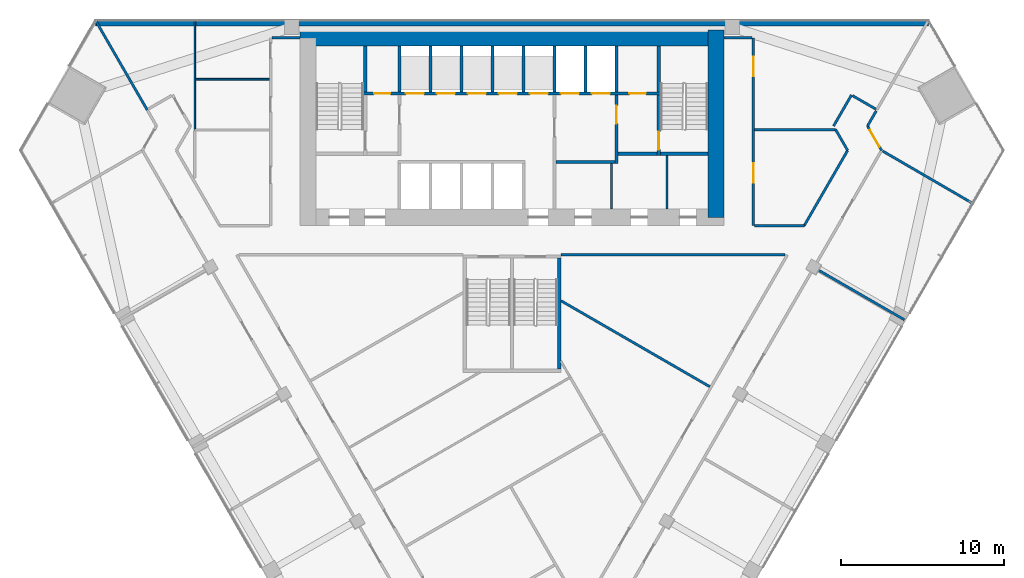
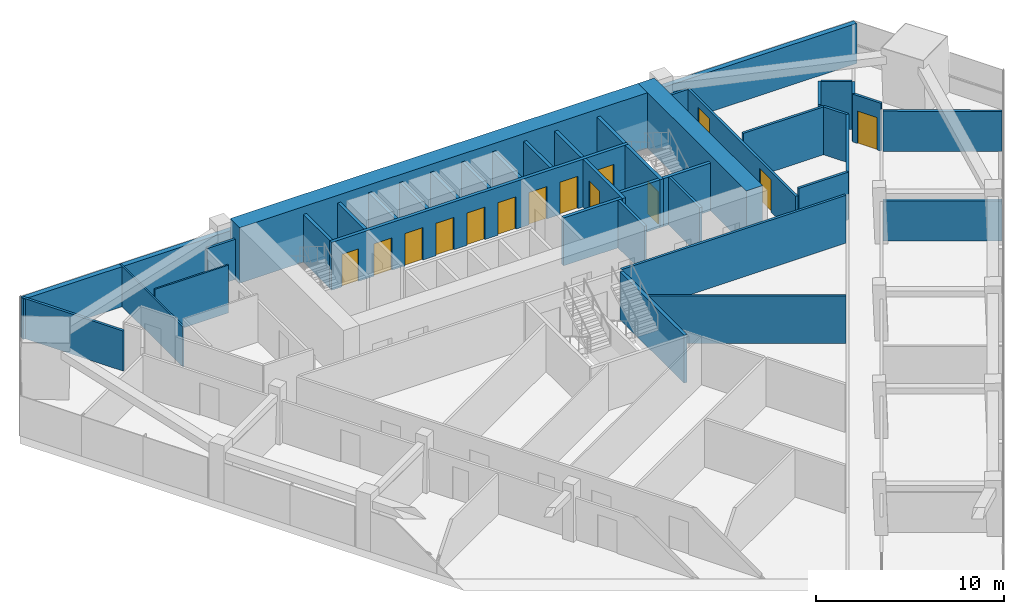
# One storey, part 11 of 14: 40 walls, 14 doors, 14 openings.
"""IFC4 building model written with IfcOpenShell, lengths in metres."""

from ifc_helpers import new_model, si_unit, direction, frame, frame_2d, origin, place, context, subcontext, project, spatial, rectangle, extrude, material, layer, layer_set, type_object, element, fill, save


model = new_model("IFC4")

# Units and contexts
model_context = context("Model", 3, precision=1e-05, world=origin(), true_north=direction((0.0, 1.0)))
body_context = subcontext(model_context, "Body", "Model", "MODEL_VIEW")
ifc_project = project(units=[si_unit("LENGTHUNIT", "METRE"), si_unit("AREAUNIT", "SQUARE_METRE"), si_unit("VOLUMEUNIT", "CUBIC_METRE"), si_unit("PLANEANGLEUNIT", "RADIAN"), si_unit("MASSUNIT", "GRAM", prefix="KILO")], contexts=[model_context])

# Site, building, storey
site_placement = place(None, origin())
site = spatial("IfcSite", under=ifc_project, at=site_placement, CompositionType="ELEMENT")
building_placement = place(site_placement, origin())
building = spatial("IfcBuilding", under=site, at=building_placement, Name="Altiplano Prism Tower", CompositionType="ELEMENT")
storey_placement = place(building_placement, frame((0.0, 0.0, 63.0)))
storey = spatial("IfcBuildingStorey", under=building, at=storey_placement, Name="L15", CompositionType="ELEMENT", Elevation=63.0)

# Walls
ifc_material_1 = material(Name="Concrete C70/85", Category="concrete")
ifc_layer_1 = layer(ifc_material_1, 1.0)
ifc_layer_set_1 = layer_set([ifc_layer_1], Name="Concrete C70/85")
wall_type_1 = type_object("IfcWallType", Name="Core wall 1000", PredefinedType="SHEAR", material=ifc_layer_set_1)
wall_1_placement = place(storey_placement, frame((97.5, 92.89990234375, 0.0), z_axis=(0.0, 0.0, 1.0), x_axis=(0.0, 1.0, 0.0)))
element("IfcWall", 1, at=wall_1_placement, inside=storey, type_object=wall_type_1, Name="Core wall E L15", PredefinedType="SHEAR", context=body_context, shape_type="SweptSolid", body=[
    extrude(rectangle(XDim=11.5, YDim=1.0, at=frame_2d((5.75, 0.0))), origin(), (0.0, 0.0, 1.0), 3.60009765625),
])
wall_2_placement = place(storey_placement, frame((97.5, 103.89990234375, 0.0), z_axis=(0.0, 0.0, 1.0), x_axis=(-1.0, 0.0, 0.0)))
element("IfcWall", 2, at=wall_2_placement, inside=storey, type_object=wall_type_1, Name="Core wall N L15", PredefinedType="SHEAR", context=body_context, shape_type="SweptSolid", body=[
    extrude(rectangle(XDim=25.5, YDim=1.0, at=frame_2d((12.75, 0.0))), origin(), (0.0, 0.0, 1.0), 3.60009765625),
])
ifc_material_2 = material(Name="Plasterboard on steel stud", Category="steel")
ifc_layer_2 = layer(ifc_material_2, 0.10009765625)
ifc_layer_set_2 = layer_set([ifc_layer_2], Name="Plasterboard on steel stud")
wall_type_2 = type_object("IfcWallType", Name="Partition 100 wet", PredefinedType="PARTITIONING", material=ifc_layer_set_2)
wall_3_placement = place(storey_placement, frame((70.125, 101.370849609375, 0.0), z_axis=(0.0, 0.0, 1.0), x_axis=(-1.0, 0.0, 0.0)))
element("IfcWall", 3, at=wall_3_placement, inside=storey, type_object=wall_type_2, Name="Partition P03 L15 026", PredefinedType="PARTITIONING", context=body_context, shape_type="SweptSolid", body=[
    extrude(rectangle(XDim=4.513671875, YDim=0.10009765625, at=frame_2d((2.2568359375, 0.0))), origin(), (0.0, 0.0, 1.0), 3.10009765625),
])
wall_4_placement = place(storey_placement, frame((65.561279296875, 104.89990234375, 0.0), z_axis=(0.0, 0.0, 1.0), x_axis=(0.0, -1.0, 0.0)))
element("IfcWall", 4, at=wall_4_placement, inside=storey, type_object=wall_type_2, Name="Partition P03 L15 028", PredefinedType="PARTITIONING", context=body_context, shape_type="SweptSolid", body=[
    extrude(rectangle(XDim=6.66650390625, YDim=0.10009765625, at=frame_2d((3.333251953125, 0.0))), origin(), (0.0, 0.0, 1.0), 2.60009765625),
])
ifc_layer_3 = layer(ifc_material_2, 0.14990234375)
ifc_layer_set_3 = layer_set([ifc_layer_3], Name="Plasterboard on steel stud")
wall_type_3 = type_object("IfcWallType", Name="Partition 150 corridor", PredefinedType="PARTITIONING", material=ifc_layer_set_3)
wall_5_placement = place(storey_placement, frame((72.0, 103.89990234375, 0.0), z_axis=(0.0, 0.0, 1.0), x_axis=(-1.0, 0.0, 0.0)))
element("IfcWall", 5, at=wall_5_placement, inside=storey, type_object=wall_type_3, Name="Partition P06 L15 001", PredefinedType="PARTITIONING", context=body_context, shape_type="SweptSolid", body=[
    extrude(rectangle(XDim=1.72509765625, YDim=0.14990234375, at=frame_2d((0.862548828125, 0.0))), origin(), (0.0, 0.0, 1.0), 2.60009765625),
])

# Wall, opening, door
wall_6_placement = place(storey_placement, frame((107.652587890625, 97.00634765625, 0.0), z_axis=(0.0, 0.0, 1.0), x_axis=(-0.499975693202, 0.866039436866, 0.0)))
wall_6 = element("IfcWall", 6, at=wall_6_placement, inside=storey, type_object=wall_type_3, Name="Partition P06 L15 013", PredefinedType="PARTITIONING", context=body_context, shape_type="SweptSolid", body=[
    extrude(rectangle(XDim=1.724609375, YDim=0.14990234375, at=frame_2d((0.8623046875, 0.0))), origin(), (0.0, 0.0, 1.0), 3.10009765625),
])
opening_1_placement = place(wall_6_placement, frame((0.239990234375, 0.0, 0.0)))
opening_1 = element("IfcOpeningElement", 7, at=opening_1_placement, cuts=wall_6, Name="Opening D0611", PredefinedType="OPENING", context=body_context, shape_type="SweptSolid", body=[
    extrude(rectangle(XDim=1.199951171875, YDim=2.10009765625, at=frame_2d((0.60009765625, 1.050048828125))), frame((0.0, 0.08544921875, 0.0), z_axis=(0.0, -1.0, 0.0), x_axis=(1.0, 0.0, 0.0)), (0.0, 0.0, 1.0), 0.1708984375),
])
ifc_material_3 = material(Name="Timber", Category="wood")
door_type_1 = type_object("IfcDoorType", Name="Shared room door 1200 x 2100", OperationType="NOTDEFINED", PredefinedType="NOTDEFINED", material=ifc_material_3)
door_1_placement = place(opening_1_placement, origin())
door_1 = element("IfcDoor", 8, at=door_1_placement, inside=storey, type_object=door_type_1, Name="Door D0611", OperationType="SINGLE_SWING_RIGHT", OverallHeight=2.10009765625, OverallWidth=1.199951171875, PredefinedType="NOTDEFINED", context=body_context, shape_type="SweptSolid", body=[
    extrude(rectangle(XDim=1.199951171875, YDim=2.10009765625, at=frame_2d((0.60009765625, 1.050048828125))), frame((0.0, 0.02490234375, 0.0), z_axis=(0.0, -1.0, 0.0), x_axis=(1.0, 0.0, 0.0)), (0.0, 0.0, 1.0), 0.050048828125),
])
fill(opening_1, door_1)

# Walls
wall_7_placement = place(storey_placement, frame((106.790283203125, 98.5, 0.0), z_axis=(0.0, 0.0, 1.0), x_axis=(0.499957341738, 0.866050031143, 0.0)))
element("IfcWall", 9, at=wall_7_placement, inside=storey, type_object=wall_type_3, Name="Partition P06 L15 014", PredefinedType="PARTITIONING", context=body_context, shape_type="SweptSolid", body=[
    extrude(rectangle(XDim=1.07958984375, YDim=0.14990234375, at=frame_2d((0.539794921875, 0.0))), origin(), (0.0, 0.0, 1.0), 3.10009765625),
])
wall_8_placement = place(storey_placement, frame((88.0, 90.59912109375, 0.0), z_axis=(0.0, 0.0, 1.0), x_axis=(0.999999997476, 7.1045433e-05, 0.0)))
element("IfcWall", 10, at=wall_8_placement, inside=storey, type_object=wall_type_3, Name="Partition P06 L15 015", PredefinedType="PARTITIONING", context=body_context, shape_type="SweptSolid", body=[
    extrude(rectangle(XDim=13.74560546875, YDim=0.14990234375, at=frame_2d((6.872802734375, 0.0))), origin(), (0.0, 0.0, 1.0), 3.10009765625),
])
wall_9_placement = place(storey_placement, frame((99.72509765625, 103.89990234375, 0.0), z_axis=(0.0, 0.0, 1.0), x_axis=(-1.0, 0.0, 0.0)))
element("IfcWall", 11, at=wall_9_placement, inside=storey, type_object=wall_type_3, Name="Partition P06 L15 018", PredefinedType="PARTITIONING", context=body_context, shape_type="SweptSolid", body=[
    extrude(rectangle(XDim=1.72509765625, YDim=0.14990234375, at=frame_2d((0.862548828125, 0.0))), origin(), (0.0, 0.0, 1.0), 2.60009765625),
])
wall_10_placement = place(storey_placement, frame((107.302490234375, 99.53759765625, 0.0), z_axis=(0.0, 0.0, 1.0), x_axis=(-0.866040211805, 0.499974350878, 0.0)))
element("IfcWall", 12, at=wall_10_placement, inside=storey, type_object=wall_type_3, Name="Partition P06 L15 019", PredefinedType="PARTITIONING", context=body_context, shape_type="SweptSolid", body=[
    extrude(rectangle(XDim=1.64990234375, YDim=0.14990234375, at=frame_2d((0.824951171875, 0.0))), origin(), (0.0, 0.0, 1.0), 3.10009765625),
])
wall_11_placement = place(storey_placement, frame((105.80859375, 100.39990234375, 0.0), z_axis=(0.0, 0.0, 1.0), x_axis=(-0.500005024956, -0.866022502605, 0.0)))
element("IfcWall", 13, at=wall_11_placement, inside=storey, type_object=wall_type_3, Name="Partition P06 L15 020", PredefinedType="PARTITIONING", context=body_context, shape_type="SweptSolid", body=[
    extrude(rectangle(XDim=2.19384765625, YDim=0.14990234375, at=frame_2d((1.096923828125, 0.0))), origin(), (0.0, 0.0, 1.0), 3.10009765625),
])
wall_12_placement = place(storey_placement, frame((104.836181640625, 98.282470703125, 0.0), z_axis=(0.0, 0.0, 1.0), x_axis=(0.500644523224, -0.865652968207, 0.0)))
element("IfcWall", 14, at=wall_12_placement, inside=storey, type_object=wall_type_3, Name="Partition P06 L15 022", PredefinedType="PARTITIONING", context=body_context, shape_type="SweptSolid", body=[
    extrude(rectangle(XDim=1.47412109375, YDim=0.14990234375, at=frame_2d((0.737060546875, 0.0))), origin(), (0.0, 0.0, 1.0), 3.10009765625),
])
wall_13_placement = place(storey_placement, frame((105.57421875, 97.00634765625, 0.0), z_axis=(0.0, 0.0, 1.0), x_axis=(-0.500019109324, -0.86601437073, 0.0)))
element("IfcWall", 15, at=wall_13_placement, inside=storey, type_object=wall_type_3, Name="Partition P06 L15 023", PredefinedType="PARTITIONING", context=body_context, shape_type="SweptSolid", body=[
    extrude(rectangle(XDim=5.319091796875, YDim=0.14990234375, at=frame_2d((2.65966796875, 0.0))), origin(), (0.0, 0.0, 1.0), 3.10009765625),
])
wall_14_placement = place(storey_placement, frame((102.91455078125, 92.39990234375, 0.0), z_axis=(0.0, 0.0, 1.0), x_axis=(-1.0, 0.0, 0.0)))
element("IfcWall", 16, at=wall_14_placement, inside=storey, type_object=wall_type_3, Name="Partition P06 L15 024", PredefinedType="PARTITIONING", context=body_context, shape_type="SweptSolid", body=[
    extrude(rectangle(XDim=3.03955078125, YDim=0.14990234375, at=frame_2d((1.519775390625, 0.0))), origin(), (0.0, 0.0, 1.0), 3.10009765625),
])

# Wall, openings, doors
wall_15_placement = place(storey_placement, frame((99.800048828125, 92.39990234375, 0.0), z_axis=(0.0, 0.0, 1.0), x_axis=(0.0, 1.0, 0.0)))
wall_15 = element("IfcWall", 17, at=wall_15_placement, inside=storey, type_object=wall_type_3, Name="Partition P06 L15 025", PredefinedType="PARTITIONING", context=body_context, shape_type="SweptSolid", body=[
    extrude(rectangle(XDim=11.5, YDim=0.14990234375, at=frame_2d((5.75, 0.0))), origin(), (0.0, 0.0, 1.0), 2.60009765625),
])
opening_2_placement = place(wall_15_placement, frame((9.139892578125, 0.0, 0.0)))
opening_2 = element("IfcOpeningElement", 18, at=opening_2_placement, cuts=wall_15, Name="Opening D0614", PredefinedType="OPENING", context=body_context, shape_type="SweptSolid", body=[
    extrude(rectangle(XDim=1.199951171875, YDim=2.10009765625, at=frame_2d((0.60009765625, 1.050048828125))), frame((0.0, 0.08544921875, 0.0), z_axis=(0.0, -1.0, 0.0), x_axis=(1.0, 0.0, 0.0)), (0.0, 0.0, 1.0), 0.1708984375),
])
opening_3_placement = place(wall_15_placement, frame((2.612060546875, 0.0, 0.0)))
opening_3 = element("IfcOpeningElement", 19, at=opening_3_placement, cuts=wall_15, Name="Opening D0622", PredefinedType="OPENING", context=body_context, shape_type="SweptSolid", body=[
    extrude(rectangle(XDim=1.199951171875, YDim=2.10009765625, at=frame_2d((0.60009765625, 1.050048828125))), frame((0.0, 0.08544921875, 0.0), z_axis=(0.0, -1.0, 0.0), x_axis=(1.0, 0.0, 0.0)), (0.0, 0.0, 1.0), 0.1708984375),
])
door_2_placement = place(opening_2_placement, origin())
door_2 = element("IfcDoor", 20, at=door_2_placement, inside=storey, type_object=door_type_1, Name="Door D0614", OperationType="SINGLE_SWING_RIGHT", OverallHeight=2.10009765625, OverallWidth=1.199951171875, PredefinedType="NOTDEFINED", context=body_context, shape_type="SweptSolid", body=[
    extrude(rectangle(XDim=1.199951171875, YDim=2.10009765625, at=frame_2d((0.60009765625, 1.050048828125))), frame((0.0, 0.02490234375, 0.0), z_axis=(0.0, -1.0, 0.0), x_axis=(1.0, 0.0, 0.0)), (0.0, 0.0, 1.0), 0.050048828125),
])
fill(opening_2, door_2)
door_3_placement = place(opening_3_placement, origin())
door_3 = element("IfcDoor", 21, at=door_3_placement, inside=storey, type_object=door_type_1, Name="Door D0622", OperationType="SINGLE_SWING_LEFT", OverallHeight=2.10009765625, OverallWidth=1.199951171875, PredefinedType="NOTDEFINED", context=body_context, shape_type="SweptSolid", body=[
    extrude(rectangle(XDim=1.199951171875, YDim=2.10009765625, at=frame_2d((0.60009765625, 1.050048828125))), frame((0.0, 0.02490234375, 0.0), z_axis=(0.0, -1.0, 0.0), x_axis=(1.0, 0.0, 0.0)), (0.0, 0.0, 1.0), 0.050048828125),
])
fill(opening_3, door_3)

# Walls
ifc_layer_4 = layer(ifc_material_2, 0.14990234375)
ifc_layer_set_4 = layer_set([ifc_layer_4], Name="Plasterboard on steel stud")
wall_type_4 = type_object("IfcWallType", Name="Partition 150 party", PredefinedType="PARTITIONING", material=ifc_layer_set_4)
wall_16_placement = place(storey_placement, frame((59.5146484375, 104.89990234375, 0.0), z_axis=(0.0, 0.0, 1.0), x_axis=(0.500005118993, -0.866022448312, 0.0)))
element("IfcWall", 22, at=wall_16_placement, inside=storey, type_object=wall_type_4, Name="Partition P01 L15 030", PredefinedType="PARTITIONING", context=body_context, shape_type="SweptSolid", body=[
    extrude(rectangle(XDim=6.25537109375, YDim=0.14990234375, at=frame_2d((3.127685546875, 0.0))), origin(), (0.0, 0.0, 1.0), 2.60009765625),
])
for number, where, z_axis, x_axis, name in (
    (23, (109.050048828125, 86.626708984375, 0.0), (0.0, 0.0, 1.0), (-0.866015887322, 0.500016482634, 0.0), "Partition P01 L15 040"),
    (24, (113.18603515625, 93.790283203125, 0.0), (0.0, 0.0, 1.0), (-0.864585576107, 0.502485603364, 0.0), "Partition P01 L15 041"),
):
    element("IfcWall", number, at=place(storey_placement, frame(where, z_axis=z_axis, x_axis=x_axis)), inside=storey, type_object=wall_type_4, Name=name, PredefinedType="PARTITIONING", context=body_context, shape_type="SweptSolid", body=[
        extrude(rectangle(XDim=6.324951171875, YDim=0.14990234375, at=frame_2d((3.16259765625, 0.0))), origin(), (0.0, 0.0, 1.0), 2.60009765625),
    ])
wall_17_placement = place(storey_placement, frame((88.0, 87.791259765625, 0.0), z_axis=(0.0, 0.0, 1.0), x_axis=(0.866027393874, -0.499996553047, 0.0)))
element("IfcWall", 25, at=wall_17_placement, inside=storey, type_object=wall_type_4, Name="Partition P01 L15 043", PredefinedType="PARTITIONING", context=body_context, shape_type="SweptSolid", body=[
    extrude(rectangle(XDim=10.537109375, YDim=0.14990234375, at=frame_2d((5.2685546875, 0.0))), origin(), (0.0, 0.0, 1.0), 3.10009765625),
])
wall_18_placement = place(storey_placement, frame((99.875, 98.282470703125, 0.0), z_axis=(0.0, 0.0, 1.0), x_axis=(1.0, 0.0, 0.0)))
element("IfcWall", 26, at=wall_18_placement, inside=storey, type_object=wall_type_4, Name="Partition P01 L15 045", PredefinedType="PARTITIONING", context=body_context, shape_type="SweptSolid", body=[
    extrude(rectangle(XDim=4.961181640625, YDim=0.14990234375, at=frame_2d((2.48046875, 0.0))), origin(), (0.0, 0.0, 1.0), 3.10009765625),
])
ifc_material_4 = material(Name="Fire-rated gypsum board partition")
ifc_layer_5 = layer(ifc_material_4, 0.14990234375)
ifc_layer_set_5 = layer_set([ifc_layer_5], Name="Fire-rated gypsum board partition")
wall_type_5 = type_object("IfcWallType", Name="Room partition 150", PredefinedType="PARTITIONING", material=ifc_layer_set_5)
wall_19_placement = place(storey_placement, frame((91.10009765625, 93.39990234375, 0.0), z_axis=(0.0, 0.0, 1.0), x_axis=(0.0, 1.0, 0.0)))
element("IfcWall", 27, at=wall_19_placement, inside=storey, type_object=wall_type_5, Name="Room partition L15", PredefinedType="PARTITIONING", context=body_context, shape_type="SweptSolid", body=[
    extrude(rectangle(XDim=2.800048828125, YDim=0.14990234375, at=frame_2d((1.39990234375, 0.0))), origin(), (0.0, 0.0, 1.0), 3.10009765625),
])
wall_20_placement = place(storey_placement, frame((94.5, 93.39990234375, 0.0), z_axis=(0.0, 0.0, 1.0), x_axis=(0.0, 1.0, 0.0)))
element("IfcWall", 28, at=wall_20_placement, inside=storey, type_object=wall_type_5, Name="Room partition L15", PredefinedType="PARTITIONING", context=body_context, shape_type="SweptSolid", body=[
    extrude(rectangle(XDim=3.300048828125, YDim=0.14990234375, at=frame_2d((1.64990234375, 0.0))), origin(), (0.0, 0.0, 1.0), 3.10009765625),
])
ifc_material_5 = material(Name="Concrete C60/75", Category="concrete")
ifc_layer_6 = layer(ifc_material_5, 0.199951171875)
ifc_layer_set_6 = layer_set([ifc_layer_6], Name="Concrete C60/75")
wall_type_6 = type_object("IfcWallType", Name="Shaft wall 200", PredefinedType="SOLIDWALL", material=ifc_layer_set_6)
for number, where, z_axis, x_axis, name in (
    (29, (78.10009765625, 100.60009765625, 0.0), (0.0, 0.0, 1.0), (0.0, 1.0, 0.0), "Shaft wall L15"),
    (30, (80.0, 100.60009765625, 0.0), (0.0, 0.0, 1.0), (0.0, 1.0, 0.0), "Shaft wall L15"),
    (31, (81.89990234375, 100.60009765625, 0.0), (0.0, 0.0, 1.0), (0.0, 1.0, 0.0), "Shaft wall L15"),
    (32, (83.800048828125, 100.60009765625, 0.0), (0.0, 0.0, 1.0), (0.0, 1.0, 0.0), "Shaft wall L15"),
    (33, (85.699951171875, 100.60009765625, 0.0), (0.0, 0.0, 1.0), (0.0, 1.0, 0.0), "Shaft wall L15"),
    (34, (87.60009765625, 100.60009765625, 0.0), (0.0, 0.0, 1.0), (0.0, 1.0, 0.0), "Shaft wall L15"),
    (35, (89.5, 100.60009765625, 0.0), (0.0, 0.0, 1.0), (0.0, 1.0, 0.0), "Shaft wall L15"),
    (36, (91.39990234375, 100.60009765625, 0.0), (0.0, 0.0, 1.0), (0.0, 1.0, 0.0), "Shaft wall L15"),
):
    element("IfcWall", number, at=place(storey_placement, frame(where, z_axis=z_axis, x_axis=x_axis)), inside=storey, type_object=wall_type_6, Name=name, PredefinedType="SOLIDWALL", context=body_context, shape_type="SweptSolid", body=[
        extrude(rectangle(XDim=2.7998046875, YDim=0.199951171875, at=frame_2d((1.39990234375, 0.0))), origin(), (0.0, 0.0, 1.0), 3.10009765625),
    ])

# Wall, opening, door
ifc_layer_7 = layer(ifc_material_5, 0.199951171875)
ifc_layer_set_7 = layer_set([ifc_layer_7], Name="Concrete C60/75")
wall_type_7 = type_object("IfcWallType", Name="Stair wall 200", PredefinedType="SOLIDWALL", material=ifc_layer_set_7)
wall_21_placement = place(storey_placement, frame((94.0, 96.699951171875, 0.0), z_axis=(0.0, 0.0, 1.0), x_axis=(0.0, 1.0, 0.0)))
wall_21 = element("IfcWall", 37, at=wall_21_placement, inside=storey, type_object=wall_type_7, Name="Stair wall L15", PredefinedType="SOLIDWALL", context=body_context, shape_type="SweptSolid", body=[
    extrude(rectangle(XDim=3.699951171875, YDim=0.199951171875, at=frame_2d((1.85009765625, 0.0))), origin(), (0.0, 0.0, 1.0), 3.10009765625),
])
opening_4_placement = place(wall_21_placement, frame((0.35009765625, 0.0, 0.0)))
opening_4 = element("IfcOpeningElement", 38, at=opening_4_placement, cuts=wall_21, Name="Opening D2789", PredefinedType="OPENING", context=body_context, shape_type="SweptSolid", body=[
    extrude(rectangle(XDim=1.10009765625, YDim=2.10009765625, at=frame_2d((0.550048828125, 1.050048828125))), frame((0.0, 0.1103515625, 0.0), z_axis=(0.0, -1.0, 0.0), x_axis=(1.0, 0.0, 0.0)), (0.0, 0.0, 1.0), 0.220947265625),
])
ifc_material_6 = material(Name="Fire-rated steel door", Category="steel")
door_type_2 = type_object("IfcDoorType", Name="Stair fire door 1100 x 2100", OperationType="NOTDEFINED", PredefinedType="NOTDEFINED", material=ifc_material_6)
door_4_placement = place(opening_4_placement, origin())
door_4 = element("IfcDoor", 39, at=door_4_placement, inside=storey, type_object=door_type_2, Name="Stair fire door D2789", OperationType="SINGLE_SWING_LEFT", OverallHeight=2.10009765625, OverallWidth=1.10009765625, PredefinedType="NOTDEFINED", context=body_context, shape_type="SweptSolid", body=[
    extrude(rectangle(XDim=1.10009765625, YDim=2.10009765625, at=frame_2d((0.550048828125, 1.050048828125))), frame((0.0, 0.02490234375, 0.0), z_axis=(0.0, -1.0, 0.0), x_axis=(1.0, 0.0, 0.0)), (0.0, 0.0, 1.0), 0.050048828125),
])
fill(opening_4, door_4)

# Wall
wall_22_placement = place(storey_placement, frame((94.10009765625, 96.800048828125, 0.0), z_axis=(0.0, 0.0, 1.0), x_axis=(1.0, 0.0, 0.0)))
element("IfcWall", 40, at=wall_22_placement, inside=storey, type_object=wall_type_7, Name="Stair wall L15", PredefinedType="SOLIDWALL", context=body_context, shape_type="SweptSolid", body=[
    extrude(rectangle(XDim=2.89990234375, YDim=0.199951171875, at=frame_2d((1.449951171875, 0.0))), origin(), (0.0, 0.0, 1.0), 3.10009765625),
])

# Wall, openings, doors
wall_23_placement = place(storey_placement, frame((75.89990234375, 100.5, 0.0), z_axis=(0.0, 0.0, 1.0), x_axis=(1.0, 0.0, 0.0)))
wall_23 = element("IfcWall", 41, at=wall_23_placement, inside=storey, type_object=wall_type_7, Name="Stair wall L15", PredefinedType="SOLIDWALL", context=body_context, shape_type="SweptSolid", body=[
    extrude(rectangle(XDim=18.2001953125, YDim=0.199951171875, at=frame_2d((9.10009765625, 0.0))), origin(), (0.0, 0.0, 1.0), 3.10009765625),
])
opening_5_placement = place(wall_23_placement, frame((2.60009765625, 0.0, 0.0)))
opening_5 = element("IfcOpeningElement", 42, at=opening_5_placement, cuts=wall_23, Name="Opening LD-LL1-L15", PredefinedType="OPENING", context=body_context, shape_type="SweptSolid", body=[
    extrude(rectangle(XDim=1.10009765625, YDim=2.10009765625, at=frame_2d((0.550048828125, 1.050048828125))), frame((0.0, 0.1103515625, 0.0), z_axis=(0.0, -1.0, 0.0), x_axis=(1.0, 0.0, 0.0)), (0.0, 0.0, 1.0), 0.220947265625),
])
opening_6_placement = place(wall_23_placement, frame((4.5, 0.0, 0.0)))
opening_6 = element("IfcOpeningElement", 43, at=opening_6_placement, cuts=wall_23, Name="Opening LD-LL2-L15", PredefinedType="OPENING", context=body_context, shape_type="SweptSolid", body=[
    extrude(rectangle(XDim=1.10009765625, YDim=2.10009765625, at=frame_2d((0.550048828125, 1.050048828125))), frame((0.0, 0.1103515625, 0.0), z_axis=(0.0, -1.0, 0.0), x_axis=(1.0, 0.0, 0.0)), (0.0, 0.0, 1.0), 0.220947265625),
])
opening_7_placement = place(wall_23_placement, frame((6.39990234375, 0.0, 0.0)))
opening_7 = element("IfcOpeningElement", 44, at=opening_7_placement, cuts=wall_23, Name="Opening LD-LL3-L15", PredefinedType="OPENING", context=body_context, shape_type="SweptSolid", body=[
    extrude(rectangle(XDim=1.10009765625, YDim=2.10009765625, at=frame_2d((0.550048828125, 1.050048828125))), frame((0.0, 0.1103515625, 0.0), z_axis=(0.0, -1.0, 0.0), x_axis=(1.0, 0.0, 0.0)), (0.0, 0.0, 1.0), 0.220947265625),
])
opening_8_placement = place(wall_23_placement, frame((8.300048828125, 0.0, 0.0)))
opening_8 = element("IfcOpeningElement", 45, at=opening_8_placement, cuts=wall_23, Name="Opening LD-LL4-L15", PredefinedType="OPENING", context=body_context, shape_type="SweptSolid", body=[
    extrude(rectangle(XDim=1.10009765625, YDim=2.10009765625, at=frame_2d((0.550048828125, 1.050048828125))), frame((0.0, 0.1103515625, 0.0), z_axis=(0.0, -1.0, 0.0), x_axis=(1.0, 0.0, 0.0)), (0.0, 0.0, 1.0), 0.220947265625),
])
opening_9_placement = place(wall_23_placement, frame((10.199951171875, 0.0, 0.0)))
opening_9 = element("IfcOpeningElement", 46, at=opening_9_placement, cuts=wall_23, Name="Opening LD-LL5-L15", PredefinedType="OPENING", context=body_context, shape_type="SweptSolid", body=[
    extrude(rectangle(XDim=1.10009765625, YDim=2.10009765625, at=frame_2d((0.550048828125, 1.050048828125))), frame((0.0, 0.1103515625, 0.0), z_axis=(0.0, -1.0, 0.0), x_axis=(1.0, 0.0, 0.0)), (0.0, 0.0, 1.0), 0.220947265625),
])
opening_10_placement = place(wall_23_placement, frame((12.10009765625, 0.0, 0.0)))
opening_10 = element("IfcOpeningElement", 47, at=opening_10_placement, cuts=wall_23, Name="Opening LD-FF1-L15", PredefinedType="OPENING", context=body_context, shape_type="SweptSolid", body=[
    extrude(rectangle(XDim=1.10009765625, YDim=2.10009765625, at=frame_2d((0.550048828125, 1.050048828125))), frame((0.0, 0.1103515625, 0.0), z_axis=(0.0, -1.0, 0.0), x_axis=(1.0, 0.0, 0.0)), (0.0, 0.0, 1.0), 0.220947265625),
])
opening_11_placement = place(wall_23_placement, frame((14.0, 0.0, 0.0)))
opening_11 = element("IfcOpeningElement", 48, at=opening_11_placement, cuts=wall_23, Name="Opening LD-FF2-L15", PredefinedType="OPENING", context=body_context, shape_type="SweptSolid", body=[
    extrude(rectangle(XDim=1.10009765625, YDim=2.10009765625, at=frame_2d((0.550048828125, 1.050048828125))), frame((0.0, 0.1103515625, 0.0), z_axis=(0.0, -1.0, 0.0), x_axis=(1.0, 0.0, 0.0)), (0.0, 0.0, 1.0), 0.220947265625),
])
opening_12_placement = place(wall_23_placement, frame((0.64990234375, 0.0, 0.0)))
opening_12 = element("IfcOpeningElement", 49, at=opening_12_placement, cuts=wall_23, Name="Opening D2796", PredefinedType="OPENING", context=body_context, shape_type="SweptSolid", body=[
    extrude(rectangle(XDim=1.0, YDim=2.10009765625, at=frame_2d((0.5, 1.050048828125))), frame((0.0, 0.1103515625, 0.0), z_axis=(0.0, -1.0, 0.0), x_axis=(1.0, 0.0, 0.0)), (0.0, 0.0, 1.0), 0.220947265625),
])
opening_13_placement = place(wall_23_placement, frame((16.300048828125, 0.0, 0.0)))
opening_13 = element("IfcOpeningElement", 50, at=opening_13_placement, cuts=wall_23, Name="Opening D2797", PredefinedType="OPENING", context=body_context, shape_type="SweptSolid", body=[
    extrude(rectangle(XDim=1.0, YDim=2.10009765625, at=frame_2d((0.5, 1.050048828125))), frame((0.0, 0.1103515625, 0.0), z_axis=(0.0, -1.0, 0.0), x_axis=(1.0, 0.0, 0.0)), (0.0, 0.0, 1.0), 0.220947265625),
])
door_type_3 = type_object("IfcDoorType", Name="Core room door 1000 x 2100", OperationType="NOTDEFINED", PredefinedType="NOTDEFINED", material=ifc_material_6)
door_5_placement = place(opening_12_placement, origin())
door_5 = element("IfcDoor", 51, at=door_5_placement, inside=storey, type_object=door_type_3, Name="Core room door D2796", OperationType="SINGLE_SWING_LEFT", OverallHeight=2.10009765625, OverallWidth=1.0, PredefinedType="NOTDEFINED", context=body_context, shape_type="SweptSolid", body=[
    extrude(rectangle(XDim=1.0, YDim=2.10009765625, at=frame_2d((0.5, 1.050048828125))), frame((0.0, 0.02490234375, 0.0), z_axis=(0.0, -1.0, 0.0), x_axis=(1.0, 0.0, 0.0)), (0.0, 0.0, 1.0), 0.050048828125),
])
fill(opening_12, door_5)
door_6_placement = place(opening_13_placement, origin())
door_6 = element("IfcDoor", 52, at=door_6_placement, inside=storey, type_object=door_type_3, Name="Core room door D2797", OperationType="SINGLE_SWING_RIGHT", OverallHeight=2.10009765625, OverallWidth=1.0, PredefinedType="NOTDEFINED", context=body_context, shape_type="SweptSolid", body=[
    extrude(rectangle(XDim=1.0, YDim=2.10009765625, at=frame_2d((0.5, 1.050048828125))), frame((0.0, 0.02490234375, 0.0), z_axis=(0.0, -1.0, 0.0), x_axis=(1.0, 0.0, 0.0)), (0.0, 0.0, 1.0), 0.050048828125),
])
fill(opening_13, door_6)
ifc_material_7 = material(Name="Stainless steel landing door", Category="steel")
door_type_4 = type_object("IfcDoorType", Name="Landing door 1100 x 2100", OperationType="NOTDEFINED", PredefinedType="NOTDEFINED", material=ifc_material_7)
door_7_placement = place(opening_5_placement, origin())
door_7 = element("IfcDoor", 53, at=door_7_placement, inside=storey, type_object=door_type_4, Name="Landing doors LL1", OperationType="SLIDING_TO_RIGHT", OverallHeight=2.10009765625, OverallWidth=1.10009765625, PredefinedType="NOTDEFINED", context=body_context, shape_type="SweptSolid", body=[
    extrude(rectangle(XDim=1.10009765625, YDim=2.10009765625, at=frame_2d((0.550048828125, 1.050048828125))), frame((0.0, 0.02490234375, 0.0), z_axis=(0.0, -1.0, 0.0), x_axis=(1.0, 0.0, 0.0)), (0.0, 0.0, 1.0), 0.050048828125),
])
fill(opening_5, door_7)
door_8_placement = place(opening_6_placement, origin())
door_8 = element("IfcDoor", 54, at=door_8_placement, inside=storey, type_object=door_type_4, Name="Landing doors LL2", OperationType="SLIDING_TO_LEFT", OverallHeight=2.10009765625, OverallWidth=1.10009765625, PredefinedType="NOTDEFINED", context=body_context, shape_type="SweptSolid", body=[
    extrude(rectangle(XDim=1.10009765625, YDim=2.10009765625, at=frame_2d((0.550048828125, 1.050048828125))), frame((0.0, 0.02490234375, 0.0), z_axis=(0.0, -1.0, 0.0), x_axis=(1.0, 0.0, 0.0)), (0.0, 0.0, 1.0), 0.050048828125),
])
fill(opening_6, door_8)
door_9_placement = place(opening_7_placement, origin())
door_9 = element("IfcDoor", 55, at=door_9_placement, inside=storey, type_object=door_type_4, Name="Landing doors LL3", OperationType="SLIDING_TO_RIGHT", OverallHeight=2.10009765625, OverallWidth=1.10009765625, PredefinedType="NOTDEFINED", context=body_context, shape_type="SweptSolid", body=[
    extrude(rectangle(XDim=1.10009765625, YDim=2.10009765625, at=frame_2d((0.550048828125, 1.050048828125))), frame((0.0, 0.02490234375, 0.0), z_axis=(0.0, -1.0, 0.0), x_axis=(1.0, 0.0, 0.0)), (0.0, 0.0, 1.0), 0.050048828125),
])
fill(opening_7, door_9)
door_10_placement = place(opening_8_placement, origin())
door_10 = element("IfcDoor", 56, at=door_10_placement, inside=storey, type_object=door_type_4, Name="Landing doors LL4", OperationType="SLIDING_TO_LEFT", OverallHeight=2.10009765625, OverallWidth=1.10009765625, PredefinedType="NOTDEFINED", context=body_context, shape_type="SweptSolid", body=[
    extrude(rectangle(XDim=1.10009765625, YDim=2.10009765625, at=frame_2d((0.550048828125, 1.050048828125))), frame((0.0, 0.02490234375, 0.0), z_axis=(0.0, -1.0, 0.0), x_axis=(1.0, 0.0, 0.0)), (0.0, 0.0, 1.0), 0.050048828125),
])
fill(opening_8, door_10)
door_11_placement = place(opening_9_placement, origin())
door_11 = element("IfcDoor", 57, at=door_11_placement, inside=storey, type_object=door_type_4, Name="Landing doors LL5", OperationType="SLIDING_TO_RIGHT", OverallHeight=2.10009765625, OverallWidth=1.10009765625, PredefinedType="NOTDEFINED", context=body_context, shape_type="SweptSolid", body=[
    extrude(rectangle(XDim=1.10009765625, YDim=2.10009765625, at=frame_2d((0.550048828125, 1.050048828125))), frame((0.0, 0.02490234375, 0.0), z_axis=(0.0, -1.0, 0.0), x_axis=(1.0, 0.0, 0.0)), (0.0, 0.0, 1.0), 0.050048828125),
])
fill(opening_9, door_11)
door_12_placement = place(opening_10_placement, origin())
door_12 = element("IfcDoor", 58, at=door_12_placement, inside=storey, type_object=door_type_4, Name="Landing doors FF1", OperationType="SLIDING_TO_RIGHT", OverallHeight=2.10009765625, OverallWidth=1.10009765625, PredefinedType="NOTDEFINED", context=body_context, shape_type="SweptSolid", body=[
    extrude(rectangle(XDim=1.10009765625, YDim=2.10009765625, at=frame_2d((0.550048828125, 1.050048828125))), frame((0.0, 0.02490234375, 0.0), z_axis=(0.0, -1.0, 0.0), x_axis=(1.0, 0.0, 0.0)), (0.0, 0.0, 1.0), 0.050048828125),
])
fill(opening_10, door_12)
door_13_placement = place(opening_11_placement, origin())
door_13 = element("IfcDoor", 59, at=door_13_placement, inside=storey, type_object=door_type_4, Name="Landing doors FF2", OperationType="SLIDING_TO_LEFT", OverallHeight=2.10009765625, OverallWidth=1.10009765625, PredefinedType="NOTDEFINED", context=body_context, shape_type="SweptSolid", body=[
    extrude(rectangle(XDim=1.10009765625, YDim=2.10009765625, at=frame_2d((0.550048828125, 1.050048828125))), frame((0.0, 0.02490234375, 0.0), z_axis=(0.0, -1.0, 0.0), x_axis=(1.0, 0.0, 0.0)), (0.0, 0.0, 1.0), 0.050048828125),
])
fill(opening_11, door_13)

# Walls
for number, where, z_axis, x_axis, name in (
    (60, (76.0, 100.60009765625, 0.0), (0.0, 0.0, 1.0), (0.0, 1.0, 0.0), "Stair wall L15"),
    (61, (94.0, 100.60009765625, 0.0), (0.0, 0.0, 1.0), (0.0, 1.0, 0.0), "Stair wall L15"),
):
    element("IfcWall", number, at=place(storey_placement, frame(where, z_axis=z_axis, x_axis=x_axis)), inside=storey, type_object=wall_type_7, Name=name, PredefinedType="SOLIDWALL", context=body_context, shape_type="SweptSolid", body=[
        extrude(rectangle(XDim=2.7998046875, YDim=0.199951171875, at=frame_2d((1.39990234375, 0.0))), origin(), (0.0, 0.0, 1.0), 3.10009765625),
    ])
wall_24_placement = place(storey_placement, frame((87.89990234375, 83.60009765625, 0.0), z_axis=(0.0, 0.0, 1.0), x_axis=(0.0, 1.0, 0.0)))
element("IfcWall", 62, at=wall_24_placement, inside=storey, type_object=wall_type_7, Name="Stair 3 wall east L15", PredefinedType="SOLIDWALL", context=body_context, shape_type="SweptSolid", body=[
    extrude(rectangle(XDim=6.7998046875, YDim=0.199951171875, at=frame_2d((3.39990234375, 0.0))), origin(), (0.0, 0.0, 1.0), 3.10009765625),
])
ifc_material_8 = material(Name="Concrete C40", Category="concrete")
ifc_layer_8 = layer(ifc_material_8, 0.300048828125)
ifc_layer_set_8 = layer_set([ifc_layer_8], Name="Concrete C40")
wall_type_8 = type_object("IfcWallType", Name="Stone-clad external wall 300", PredefinedType="SOLIDWALL", material=ifc_layer_set_8)
wall_25_placement = place(storey_placement, frame((59.45703125, 104.7900390625, 0.0), z_axis=(0.0, 0.0, 1.0), x_axis=(1.0, 0.0, 0.0)))
element("IfcWall", 63, at=wall_25_placement, inside=storey, type_object=wall_type_8, Name="External wall north face L15", PredefinedType="SOLIDWALL", context=body_context, shape_type="SweptSolid", body=[
    extrude(rectangle(XDim=51.0859375, YDim=0.300048828125, at=frame_2d((25.54296875, 0.0))), origin(), (0.0, 0.0, 1.0), 2.60009765625),
])
ifc_layer_9 = layer(ifc_material_5, 0.199951171875)
ifc_layer_set_9 = layer_set([ifc_layer_9], Name="Concrete C60/75")
wall_type_9 = type_object("IfcWallType", Name="Vestibule wall 200", PredefinedType="PARTITIONING", material=ifc_layer_set_9)
wall_26_placement = place(storey_placement, frame((87.699951171875, 96.300048828125, 0.0), z_axis=(0.0, 0.0, 1.0), x_axis=(1.0, 0.0, 0.0)))
element("IfcWall", 64, at=wall_26_placement, inside=storey, type_object=wall_type_9, Name="Vestibule wall L15", PredefinedType="PARTITIONING", context=body_context, shape_type="SweptSolid", body=[
    extrude(rectangle(XDim=3.60009765625, YDim=0.199951171875, at=frame_2d((1.800048828125, 0.0))), origin(), (0.0, 0.0, 1.0), 3.10009765625),
])

# Wall, opening, door
wall_27_placement = place(storey_placement, frame((91.39990234375, 96.199951171875, 0.0), z_axis=(0.0, 0.0, 1.0), x_axis=(0.0, 1.0, 0.0)))
wall_27 = element("IfcWall", 65, at=wall_27_placement, inside=storey, type_object=wall_type_9, Name="Vestibule wall L15", PredefinedType="PARTITIONING", context=body_context, shape_type="SweptSolid", body=[
    extrude(rectangle(XDim=4.199951171875, YDim=0.199951171875, at=frame_2d((2.10009765625, 0.0))), origin(), (0.0, 0.0, 1.0), 3.10009765625),
])
opening_14_placement = place(wall_27_placement, frame((2.449951171875, 0.0, 0.0)))
opening_14 = element("IfcOpeningElement", 66, at=opening_14_placement, cuts=wall_27, Name="Opening D2792", PredefinedType="OPENING", context=body_context, shape_type="SweptSolid", body=[
    extrude(rectangle(XDim=1.10009765625, YDim=2.10009765625, at=frame_2d((0.550048828125, 1.050048828125))), frame((0.0, 0.1103515625, 0.0), z_axis=(0.0, -1.0, 0.0), x_axis=(1.0, 0.0, 0.0)), (0.0, 0.0, 1.0), 0.220947265625),
])
door_type_5 = type_object("IfcDoorType", Name="Vestibule fire door 1100 x 2100", OperationType="NOTDEFINED", PredefinedType="NOTDEFINED", material=ifc_material_6)
door_14_placement = place(opening_14_placement, origin())
door_14 = element("IfcDoor", 67, at=door_14_placement, inside=storey, type_object=door_type_5, Name="Vestibule fire door D2792", OperationType="SINGLE_SWING_LEFT", OverallHeight=2.10009765625, OverallWidth=1.10009765625, PredefinedType="NOTDEFINED", context=body_context, shape_type="SweptSolid", body=[
    extrude(rectangle(XDim=1.10009765625, YDim=2.10009765625, at=frame_2d((0.550048828125, 1.050048828125))), frame((0.0, 0.02490234375, 0.0), z_axis=(0.0, -1.0, 0.0), x_axis=(1.0, 0.0, 0.0)), (0.0, 0.0, 1.0), 0.050048828125),
])
fill(opening_14, door_14)

# Wall
wall_28_placement = place(storey_placement, frame((91.5, 96.800048828125, 0.0), z_axis=(0.0, 0.0, 1.0), x_axis=(1.0, 0.0, 0.0)))
element("IfcWall", 68, at=wall_28_placement, inside=storey, type_object=wall_type_9, Name="Vestibule wall L15", PredefinedType="PARTITIONING", context=body_context, shape_type="SweptSolid", body=[
    extrude(rectangle(XDim=2.39990234375, YDim=0.199951171875, at=frame_2d((1.199951171875, 0.0))), origin(), (0.0, 0.0, 1.0), 3.10009765625),
])

save(model, "model.ifc")
